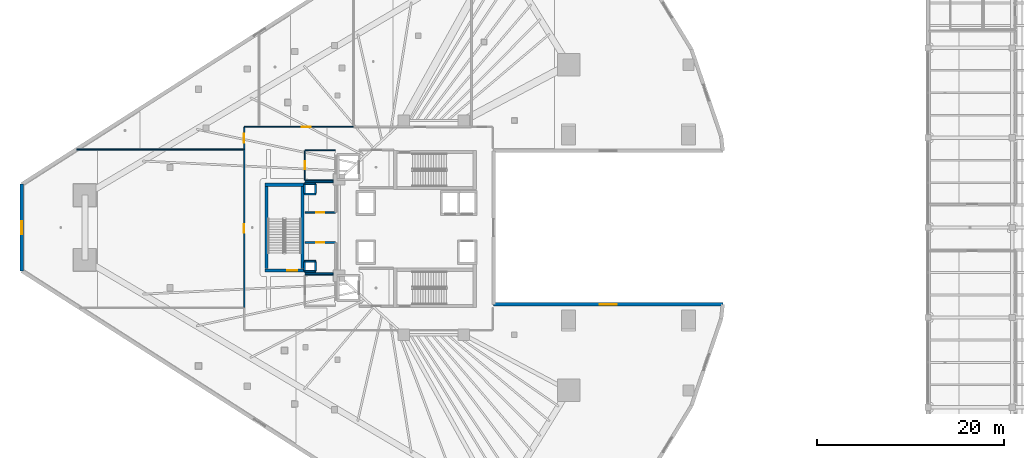
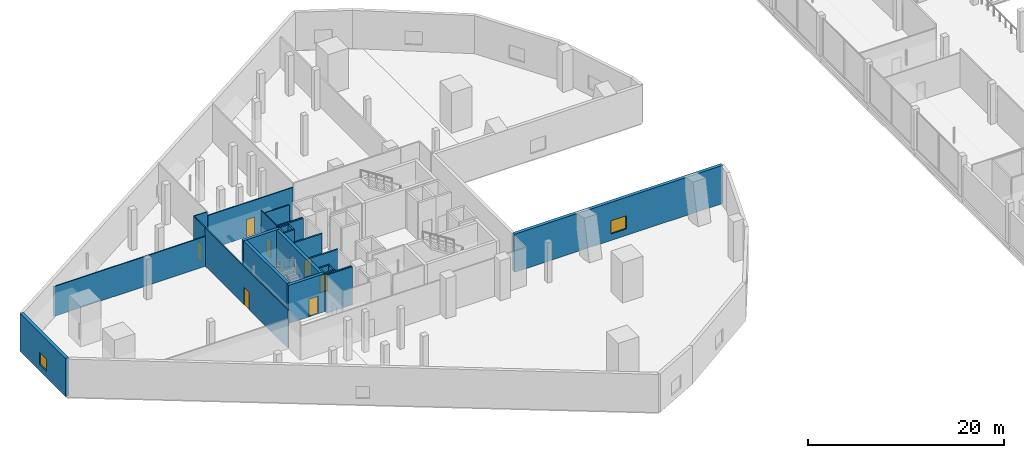
# One storey, part 27 of 46: 27 walls, 7 doors, 2 windows, 9 openings.
"""IFC4 building model written with IfcOpenShell, lengths in metres."""

from ifc_helpers import new_model, si_unit, direction, frame, frame_2d, origin, place, context, subcontext, project, spatial, rectangle, extrude, material, layer, layer_set, type_object, element, fill, save


model = new_model("IFC4")

# Units and contexts
model_context = context("Model", 3, precision=1e-05, world=origin(), true_north=direction((0.0, 1.0)))
body_context = subcontext(model_context, "Body", "Model", "MODEL_VIEW")
ifc_project = project(units=[si_unit("LENGTHUNIT", "METRE"), si_unit("AREAUNIT", "SQUARE_METRE"), si_unit("VOLUMEUNIT", "CUBIC_METRE"), si_unit("PLANEANGLEUNIT", "RADIAN"), si_unit("MASSUNIT", "GRAM", prefix="KILO")], contexts=[model_context])

# Site, building, storey
site_placement = place(None, origin())
site = spatial("IfcSite", under=ifc_project, at=site_placement, CompositionType="ELEMENT")
building_placement = place(site_placement, origin())
building = spatial("IfcBuilding", under=site, at=building_placement, Name="Qorvath Tower", CompositionType="ELEMENT")
storey_placement = place(building_placement, frame((0.0, 0.0, 17.0)))
storey = spatial("IfcBuildingStorey", under=building, at=storey_placement, Name="L03", CompositionType="ELEMENT", Elevation=17.0)

# Walls
ifc_material_1 = material(Name="Gypsum shaftliner on steel studs", Category="steel")
ifc_layer_1 = layer(ifc_material_1, 0.179931640625)
ifc_layer_set_1 = layer_set([ifc_layer_1], Name="FW-LOBBY")
wall_type_1 = type_object("IfcWallType", Name="FW-LOBBY", PredefinedType="PARTITIONING", material=ifc_layer_set_1)
for number, where, z_axis, x_axis, name in (
    (1, (-32.989990234375, 3.594970703125, 0.0), (0.0, 0.0, 1.0), (-1.0, 0.0, 0.0), "MEP Riser Shaft Enclosure Wall N-L03-S"),
    (2, (-34.260009765625, 4.675048828125, 0.0), (0.0, 0.0, 1.0), (1.0, 0.0, 0.0), "MEP Riser Shaft Enclosure Wall N-L03-N"),
):
    element("IfcWall", number, at=place(storey_placement, frame(where, z_axis=z_axis, x_axis=x_axis)), inside=storey, type_object=wall_type_1, Name=name, PredefinedType="PARTITIONING", context=body_context, shape_type="SweptSolid", body=[
        extrude(rectangle(XDim=1.27001953125, YDim=0.179931640625, at=frame_2d((0.635009765625, 0.0))), origin(), (0.0, 0.0, 1.0), 4.739990234375),
    ])
for number, where, z_axis, x_axis, name in (
    (3, (-34.205078125, 3.659912109375, 0.0), (0.0, 0.0, 1.0), (0.0, 1.0, 0.0), "MEP Riser Shaft Enclosure Wall N-L03-W"),
    (4, (-33.044921875, 4.610107421875, 0.0), (0.0, 0.0, 1.0), (0.0, -1.0, 0.0), "MEP Riser Shaft Enclosure Wall N-L03-E"),
):
    element("IfcWall", number, at=place(storey_placement, frame(where, z_axis=z_axis, x_axis=x_axis)), inside=storey, type_object=wall_type_1, Name=name, PredefinedType="PARTITIONING", context=body_context, shape_type="SweptSolid", body=[
        extrude(rectangle(XDim=0.9501953125, YDim=0.179931640625, at=frame_2d((0.47509765625, 0.0))), origin(), (0.0, 0.0, 1.0), 4.739990234375),
    ])
for number, where, z_axis, x_axis, name in (
    (5, (-32.989990234375, -4.675048828125, 0.0), (0.0, 0.0, 1.0), (-1.0, 0.0, 0.0), "MEP Riser Shaft Enclosure Wall S-L03-S"),
    (6, (-34.260009765625, -3.594970703125, 0.0), (0.0, 0.0, 1.0), (1.0, 0.0, 0.0), "MEP Riser Shaft Enclosure Wall S-L03-N"),
):
    element("IfcWall", number, at=place(storey_placement, frame(where, z_axis=z_axis, x_axis=x_axis)), inside=storey, type_object=wall_type_1, Name=name, PredefinedType="PARTITIONING", context=body_context, shape_type="SweptSolid", body=[
        extrude(rectangle(XDim=1.27001953125, YDim=0.179931640625, at=frame_2d((0.635009765625, 0.0))), origin(), (0.0, 0.0, 1.0), 4.739990234375),
    ])
for number, where, z_axis, x_axis, name in (
    (7, (-34.205078125, -4.610107421875, 0.0), (0.0, 0.0, 1.0), (0.0, 1.0, 0.0), "MEP Riser Shaft Enclosure Wall S-L03-W"),
    (8, (-33.044921875, -3.659912109375, 0.0), (0.0, 0.0, 1.0), (0.0, -1.0, 0.0), "MEP Riser Shaft Enclosure Wall S-L03-E"),
):
    element("IfcWall", number, at=place(storey_placement, frame(where, z_axis=z_axis, x_axis=x_axis)), inside=storey, type_object=wall_type_1, Name=name, PredefinedType="PARTITIONING", context=body_context, shape_type="SweptSolid", body=[
        extrude(rectangle(XDim=0.9501953125, YDim=0.179931640625, at=frame_2d((0.47509765625, 0.0))), origin(), (0.0, 0.0, 1.0), 4.739990234375),
    ])

# Wall, opening, door
wall_1_placement = place(storey_placement, frame((-34.15478515625, 1.60009765625, 0.0), z_axis=(0.0, 0.0, 1.0), x_axis=(1.0, 0.0, 0.0)))
wall_1 = element("IfcWall", 9, at=wall_1_placement, inside=storey, type_object=wall_type_1, Name="Interior Partition IW-T1-L03-013", PredefinedType="PARTITIONING", context=body_context, shape_type="SweptSolid", body=[
    extrude(rectangle(XDim=3.25, YDim=0.179931640625, at=frame_2d((1.625, 0.0))), origin(), (0.0, 0.0, 1.0), 4.739990234375),
])
opening_1_placement = place(wall_1_placement, frame((1.18505859375, 0.0, 0.0)))
opening_1 = element("IfcOpeningElement", 10, at=opening_1_placement, cuts=wall_1, Name="Opening D-T1-L03-03", PredefinedType="OPENING", context=body_context, shape_type="SweptSolid", body=[
    extrude(rectangle(XDim=0.8798828125, YDim=2.10009765625, at=frame_2d((0.43994140625, 1.050048828125))), frame((0.0, 0.10009765625, 0.0), z_axis=(0.0, -1.0, 0.0), x_axis=(1.0, 0.0, 0.0)), (0.0, 0.0, 1.0), 0.199951171875),
])
ifc_material_2 = material(Name="Painted galvanised hollow metal", Category="steel")
door_type_1 = type_object("IfcDoorType", Name="FD-60N", OperationType="NOTDEFINED", PredefinedType="DOOR", material=ifc_material_2)
door_1_placement = place(opening_1_placement, origin())
door_1 = element("IfcDoor", 11, at=door_1_placement, inside=storey, type_object=door_type_1, Name="Core cleaner and custodial room L03 Door D-T1-L03-03", OperationType="SINGLE_SWING_RIGHT", OverallHeight=2.10009765625, OverallWidth=0.8798828125, PredefinedType="DOOR", context=body_context, shape_type="SweptSolid", body=[
    extrude(rectangle(XDim=0.8798828125, YDim=2.10009765625, at=frame_2d((0.43994140625, 1.050048828125))), frame((0.0, 0.02490234375, 0.0), z_axis=(0.0, -1.0, 0.0), x_axis=(1.0, 0.0, 0.0)), (0.0, 0.0, 1.0), 0.050048828125),
])
fill(opening_1, door_1)

# Walls
for number, where, z_axis, x_axis, name in (
    (12, (-31.1650390625, 4.89990234375, 0.0), (0.0, 0.0, 1.0), (-1.0, 0.0, 0.0), "Interior Partition IW-T1-L03-015"),
    (13, (-34.15478515625, -4.89990234375, 0.0), (0.0, 0.0, 1.0), (1.0, 0.0, 0.0), "Interior Partition IW-T1-L03-016"),
):
    element("IfcWall", number, at=place(storey_placement, frame(where, z_axis=z_axis, x_axis=x_axis)), inside=storey, type_object=wall_type_1, Name=name, PredefinedType="PARTITIONING", context=body_context, shape_type="SweptSolid", body=[
        extrude(rectangle(XDim=2.98974609375, YDim=0.179931640625, at=frame_2d((1.494873046875, 0.0))), origin(), (0.0, 0.0, 1.0), 4.739990234375),
    ])

# Wall, opening, door
wall_2_placement = place(storey_placement, frame((-30.90478515625, -1.60009765625, 0.0), z_axis=(0.0, 0.0, 1.0), x_axis=(-1.0, 0.0, 0.0)))
wall_2 = element("IfcWall", 14, at=wall_2_placement, inside=storey, type_object=wall_type_1, Name="Interior Partition IW-T1-L03-018", PredefinedType="PARTITIONING", context=body_context, shape_type="SweptSolid", body=[
    extrude(rectangle(XDim=3.25, YDim=0.179931640625, at=frame_2d((1.625, 0.0))), origin(), (0.0, 0.0, 1.0), 4.739990234375),
])
opening_2_placement = place(wall_2_placement, frame((1.18505859375, 0.0, 0.0)))
opening_2 = element("IfcOpeningElement", 15, at=opening_2_placement, cuts=wall_2, Name="Opening D-T1-L03-04", PredefinedType="OPENING", context=body_context, shape_type="SweptSolid", body=[
    extrude(rectangle(XDim=0.8798828125, YDim=2.10009765625, at=frame_2d((0.43994140625, 1.050048828125))), frame((0.0, 0.10009765625, 0.0), z_axis=(0.0, -1.0, 0.0), x_axis=(1.0, 0.0, 0.0)), (0.0, 0.0, 1.0), 0.199951171875),
])
door_2_placement = place(opening_2_placement, origin())
door_2 = element("IfcDoor", 16, at=door_2_placement, inside=storey, type_object=door_type_1, Name="Core electrical room L03 Door D-T1-L03-04", OperationType="SINGLE_SWING_LEFT", OverallHeight=2.10009765625, OverallWidth=0.8798828125, PredefinedType="DOOR", context=body_context, shape_type="SweptSolid", body=[
    extrude(rectangle(XDim=0.8798828125, YDim=2.10009765625, at=frame_2d((0.43994140625, 1.050048828125))), frame((0.0, 0.02490234375, 0.0), z_axis=(0.0, -1.0, 0.0), x_axis=(1.0, 0.0, 0.0)), (0.0, 0.0, 1.0), 0.050048828125),
])
fill(opening_2, door_2)

ifc_material_3 = material(Name="Gypsum board on metal studs with mineral wool", Category="gypsum")
ifc_layer_2 = layer(ifc_material_3, 0.125)
ifc_layer_set_2 = layer_set([ifc_layer_2], Name="IW-PART-125")
wall_type_2 = type_object("IfcWallType", Name="IW-PART-125", PredefinedType="PARTITIONING", material=ifc_layer_set_2)
wall_3_placement = place(storey_placement, frame((-40.657958984375, 8.375, 0.0), z_axis=(0.0, 0.0, 1.0), x_axis=(0.0, 1.0, 0.0)))
wall_3 = element("IfcWall", 17, at=wall_3_placement, inside=storey, type_object=wall_type_2, Name="Interior Partition IW-T1-L03-019", PredefinedType="PARTITIONING", context=body_context, shape_type="SweptSolid", body=[
    extrude(rectangle(XDim=2.358154296875, YDim=0.125, at=frame_2d((1.17919921875, 0.0))), origin(), (0.0, 0.0, 1.0), 4.739990234375),
])
opening_3_placement = place(wall_3_placement, frame((0.7041015625, 0.0, 0.0)))
opening_3 = element("IfcOpeningElement", 18, at=opening_3_placement, cuts=wall_3, Name="Opening D-T1-L03-05", PredefinedType="OPENING", context=body_context, shape_type="SweptSolid", body=[
    extrude(rectangle(XDim=0.949951171875, YDim=2.14990234375, at=frame_2d((0.47509765625, 1.074951171875))), frame((0.0, 0.072509765625, 0.0), z_axis=(0.0, -1.0, 0.0), x_axis=(1.0, 0.0, 0.0)), (0.0, 0.0, 1.0), 0.14501953125),
])
ifc_material_4 = material(Name="Solid-core American white oak veneer", Category="wood")
door_type_2 = type_object("IfcDoorType", Name="D-01", OperationType="NOTDEFINED", PredefinedType="DOOR", material=ifc_material_4)
door_3_placement = place(opening_3_placement, origin())
door_3 = element("IfcDoor", 19, at=door_3_placement, inside=storey, type_object=door_type_2, Name="L03-01 Focus Collaboration Pod Door D-T1-L03-05", OperationType="SINGLE_SWING_RIGHT", OverallHeight=2.14990234375, OverallWidth=0.949951171875, PredefinedType="DOOR", context=body_context, shape_type="SweptSolid", body=[
    extrude(rectangle(XDim=0.949951171875, YDim=2.14990234375, at=frame_2d((0.47509765625, 1.074951171875))), frame((0.0, 0.02490234375, 0.0), z_axis=(0.0, -1.0, 0.0), x_axis=(1.0, 0.0, 0.0)), (0.0, 0.0, 1.0), 0.050048828125),
])
fill(opening_3, door_3)

# Walls
wall_4_placement = place(storey_placement, frame((-40.633056640625, 10.758056640625, 0.0), z_axis=(0.0, 0.0, 1.0), x_axis=(1.0, 0.0, 0.0)))
element("IfcWall", 20, at=wall_4_placement, inside=storey, type_object=wall_type_2, Name="Interior Partition IW-T1-L03-020", PredefinedType="PARTITIONING", context=body_context, shape_type="SweptSolid", body=[
    extrude(rectangle(XDim=1.5390625, YDim=0.125, at=frame_2d((0.76953125, 0.0))), origin(), (0.0, 0.0, 1.0), 4.739990234375),
])
wall_5_placement = place(storey_placement, frame((-58.55224609375, 8.33544921875, 0.0), z_axis=(0.0, 0.0, 1.0), x_axis=(0.999999663996, 0.000819761447, 0.0)))
element("IfcWall", 21, at=wall_5_placement, inside=storey, type_object=wall_type_2, Name="Interior Partition IW-T1-L03-022", PredefinedType="PARTITIONING", context=body_context, shape_type="SweptSolid", body=[
    extrude(rectangle(XDim=17.869140625, YDim=0.125, at=frame_2d((8.9345703125, 0.0))), origin(), (0.0, 0.0, 1.0), 3.7099609375),
])

# Wall, opening, door
wall_6_placement = place(storey_placement, frame((-39.035888671875, 10.758056640625, 0.0), z_axis=(0.0, 0.0, 1.0), x_axis=(1.0, 0.0, 0.0)))
wall_6 = element("IfcWall", 22, at=wall_6_placement, inside=storey, type_object=wall_type_2, Name="Interior Partition IW-T1-L03-023", PredefinedType="PARTITIONING", context=body_context, shape_type="SweptSolid", body=[
    extrude(rectangle(XDim=10.029541015625, YDim=0.125, at=frame_2d((5.0146484375, 0.0))), origin(), (0.0, 0.0, 1.0), 4.2529296875),
])
opening_4_placement = place(wall_6_placement, frame((4.539794921875, 0.0, 0.0)))
opening_4 = element("IfcOpeningElement", 23, at=opening_4_placement, cuts=wall_6, Name="Opening D-T1-L03-06", PredefinedType="OPENING", context=body_context, shape_type="SweptSolid", body=[
    extrude(rectangle(XDim=0.949951171875, YDim=2.14990234375, at=frame_2d((0.47509765625, 1.074951171875))), frame((0.0, 0.072509765625, 0.0), z_axis=(0.0, -1.0, 0.0), x_axis=(1.0, 0.0, 0.0)), (0.0, 0.0, 1.0), 0.14501953125),
])
door_4_placement = place(opening_4_placement, origin())
door_4 = element("IfcDoor", 24, at=door_4_placement, inside=storey, type_object=door_type_2, Name="L03-02 Staff Refreshment Pantry and Coffee Bar Door D-T1-L03-06", OperationType="SINGLE_SWING_LEFT", OverallHeight=2.14990234375, OverallWidth=0.949951171875, PredefinedType="DOOR", context=body_context, shape_type="SweptSolid", body=[
    extrude(rectangle(XDim=0.949951171875, YDim=2.14990234375, at=frame_2d((0.47509765625, 1.074951171875))), frame((0.0, 0.02490234375, 0.0), z_axis=(0.0, -1.0, 0.0), x_axis=(1.0, 0.0, 0.0)), (0.0, 0.0, 1.0), 0.050048828125),
])
fill(opening_4, door_4)

wall_7_placement = place(storey_placement, frame((-40.657958984375, -8.51708984375, 0.0), z_axis=(0.0, 0.0, 1.0), x_axis=(0.0, 1.0, 0.0)))
wall_7 = element("IfcWall", 25, at=wall_7_placement, inside=storey, type_object=wall_type_2, Name="Interior Partition IW-T1-L03-035", PredefinedType="PARTITIONING", context=body_context, shape_type="SweptSolid", body=[
    extrude(rectangle(XDim=16.833984375, YDim=0.125, at=frame_2d((8.4169921875, 0.0))), origin(), (0.0, 0.0, 1.0), 4.739990234375),
])
opening_5_placement = place(wall_7_placement, frame((7.94189453125, 0.0, 0.0)))
opening_5 = element("IfcOpeningElement", 26, at=opening_5_placement, cuts=wall_7, Name="Opening D-T1-L03-10", PredefinedType="OPENING", context=body_context, shape_type="SweptSolid", body=[
    extrude(rectangle(XDim=0.949951171875, YDim=2.14990234375, at=frame_2d((0.47509765625, 1.074951171875))), frame((0.0, 0.072509765625, 0.0), z_axis=(0.0, -1.0, 0.0), x_axis=(1.0, 0.0, 0.0)), (0.0, 0.0, 1.0), 0.14501953125),
])
door_5_placement = place(opening_5_placement, origin())
door_5 = element("IfcDoor", 27, at=door_5_placement, inside=storey, type_object=door_type_2, Name="L03-06 Executive Partner Office Door D-T1-L03-10", OperationType="SINGLE_SWING_LEFT", OverallHeight=2.14990234375, OverallWidth=0.949951171875, PredefinedType="DOOR", context=body_context, shape_type="SweptSolid", body=[
    extrude(rectangle(XDim=0.949951171875, YDim=2.14990234375, at=frame_2d((0.47509765625, 1.074951171875))), frame((0.0, 0.02490234375, 0.0), z_axis=(0.0, -1.0, 0.0), x_axis=(1.0, 0.0, 0.0)), (0.0, 0.0, 1.0), 0.050048828125),
])
fill(opening_5, door_5)

ifc_material_5 = material(Name="Moisture-resistant cement board on metal studs", Category="gypsum")
ifc_layer_3 = layer(ifc_material_5, 0.110107421875)
ifc_layer_set_3 = layer_set([ifc_layer_3], Name="IW-WC-110")
wall_type_3 = type_object("IfcWallType", Name="IW-WC-110", PredefinedType="PARTITIONING", material=ifc_layer_set_3)
wall_8_placement = place(storey_placement, frame((-34.179931640625, 8.22509765625, 0.0), z_axis=(0.0, 0.0, 1.0), x_axis=(0.0, -1.0, 0.0)))
wall_8 = element("IfcWall", 28, at=wall_8_placement, inside=storey, type_object=wall_type_3, Name="Interior Partition IW-T1-L03-005", PredefinedType="PARTITIONING", context=body_context, shape_type="SweptSolid", body=[
    extrude(rectangle(XDim=3.150146484375, YDim=0.110107421875, at=frame_2d((1.5751953125, 0.0))), origin(), (0.0, 0.0, 1.0), 4.739990234375),
])
opening_6_placement = place(wall_8_placement, frame((1.135009765625, 0.0, 0.0)))
opening_6 = element("IfcOpeningElement", 29, at=opening_6_placement, cuts=wall_8, Name="Opening D-T1-L03-01", PredefinedType="OPENING", context=body_context, shape_type="SweptSolid", body=[
    extrude(rectangle(XDim=0.8798828125, YDim=2.10009765625, at=frame_2d((0.43994140625, 1.050048828125))), frame((0.0, 0.06494140625, 0.0), z_axis=(0.0, -1.0, 0.0), x_axis=(1.0, 0.0, 0.0)), (0.0, 0.0, 1.0), 0.130126953125),
])
ifc_material_6 = material(Name="Solid-core oak with acoustic drop seal", Category="wood")
door_type_3 = type_object("IfcDoorType", Name="D-02", OperationType="NOTDEFINED", PredefinedType="DOOR", material=ifc_material_6)
door_6_placement = place(opening_6_placement, origin())
door_6 = element("IfcDoor", 30, at=door_6_placement, inside=storey, type_object=door_type_3, Name="WC All-Gender North L03 Door D-T1-L03-01", OperationType="SINGLE_SWING_RIGHT", OverallHeight=2.10009765625, OverallWidth=0.8798828125, PredefinedType="DOOR", context=body_context, shape_type="SweptSolid", body=[
    extrude(rectangle(XDim=0.8798828125, YDim=2.10009765625, at=frame_2d((0.43994140625, 1.050048828125))), frame((0.0, 0.02490234375, 0.0), z_axis=(0.0, -1.0, 0.0), x_axis=(1.0, 0.0, 0.0)), (0.0, 0.0, 1.0), 0.050048828125),
])
fill(opening_6, door_6)

# Walls
wall_9_placement = place(storey_placement, frame((-34.15478515625, 5.050048828125, 0.0), z_axis=(0.0, 0.0, 1.0), x_axis=(1.0, 0.0, 0.0)))
element("IfcWall", 31, at=wall_9_placement, inside=storey, type_object=wall_type_3, Name="Interior Partition IW-T1-L03-006", PredefinedType="PARTITIONING", context=body_context, shape_type="SweptSolid", body=[
    extrude(rectangle(XDim=2.98974609375, YDim=0.110107421875, at=frame_2d((1.494873046875, 0.0))), origin(), (0.0, 0.0, 1.0), 4.739990234375),
])
wall_10_placement = place(storey_placement, frame((-30.90478515625, 8.25, 0.0), z_axis=(0.0, 0.0, 1.0), x_axis=(-1.0, 0.0, 0.0)))
element("IfcWall", 32, at=wall_10_placement, inside=storey, type_object=wall_type_3, Name="Interior Partition IW-T1-L03-008", PredefinedType="PARTITIONING", context=body_context, shape_type="SweptSolid", body=[
    extrude(rectangle(XDim=3.25, YDim=0.110107421875, at=frame_2d((1.625, 0.0))), origin(), (0.0, 0.0, 1.0), 4.2529296875),
])
wall_11_placement = place(storey_placement, frame((-31.1650390625, -5.050048828125, 0.0), z_axis=(0.0, 0.0, 1.0), x_axis=(-1.0, 0.0, 0.0)))
element("IfcWall", 33, at=wall_11_placement, inside=storey, type_object=wall_type_3, Name="Interior Partition IW-T1-L03-011", PredefinedType="PARTITIONING", context=body_context, shape_type="SweptSolid", body=[
    extrude(rectangle(XDim=2.98974609375, YDim=0.110107421875, at=frame_2d((1.494873046875, 0.0))), origin(), (0.0, 0.0, 1.0), 4.739990234375),
])

# Wall, opening, door
ifc_material_7 = material(Name="Concrete C60/75", Category="concrete")
ifc_layer_4 = layer(ifc_material_7, 0.35009765625)
ifc_layer_set_4 = layer_set([ifc_layer_4], Name="SW-STAIR")
wall_type_4 = type_object("IfcWallType", Name="SW-STAIR", PredefinedType="SHEAR", material=ifc_layer_set_4)
wall_12_placement = place(storey_placement, frame((-38.4599609375, -4.574951171875, 0.0), z_axis=(0.0, 0.0, 1.0), x_axis=(1.0, 0.0, 0.0)))
wall_12 = element("IfcWall", 34, at=wall_12_placement, inside=storey, type_object=wall_type_4, Name="Stair TS3 Shear Wall L03 NEAR", PredefinedType="SHEAR", context=body_context, shape_type="SweptSolid", body=[
    extrude(rectangle(XDim=4.2099609375, YDim=0.35009765625, at=frame_2d((2.10498046875, 0.0))), origin(), (0.0, 0.0, 1.0), 4.739990234375),
])
opening_7_placement = place(wall_12_placement, frame((2.389892578125, 0.0, 0.0)))
opening_7 = element("IfcOpeningElement", 35, at=opening_7_placement, cuts=wall_12, Name="Opening D-TS3-L03", PredefinedType="OPENING", context=body_context, shape_type="SweptSolid", body=[
    extrude(rectangle(XDim=1.10009765625, YDim=2.199951171875, at=frame_2d((0.550048828125, 1.10009765625))), frame((0.0, 0.18505859375, 0.0), z_axis=(0.0, -1.0, 0.0), x_axis=(1.0, 0.0, 0.0)), (0.0, 0.0, 1.0), 0.3701171875),
])
ifc_material_8 = material(Name="Painted galvanised hollow metal", Category="steel")
door_type_4 = type_object("IfcDoorType", Name="FD-90", OperationType="NOTDEFINED", PredefinedType="DOOR", material=ifc_material_8)
door_7_placement = place(opening_7_placement, origin())
door_7 = element("IfcDoor", 36, at=door_7_placement, inside=storey, type_object=door_type_4, Name="Stair TS3 Fire Door L03", OperationType="SINGLE_SWING_RIGHT", OverallHeight=2.199951171875, OverallWidth=1.10009765625, PredefinedType="DOOR", context=body_context, shape_type="SweptSolid", body=[
    extrude(rectangle(XDim=1.10009765625, YDim=2.199951171875, at=frame_2d((0.550048828125, 1.10009765625))), frame((0.0, 0.02490234375, 0.0), z_axis=(0.0, -1.0, 0.0), x_axis=(1.0, 0.0, 0.0)), (0.0, 0.0, 1.0), 0.050048828125),
])
fill(opening_7, door_7)

# Walls
wall_13_placement = place(storey_placement, frame((-34.25, 4.574951171875, 0.0), z_axis=(0.0, 0.0, 1.0), x_axis=(-1.0, 0.0, 0.0)))
element("IfcWall", 37, at=wall_13_placement, inside=storey, type_object=wall_type_4, Name="Stair TS3 Shear Wall L03 FAR", PredefinedType="SHEAR", context=body_context, shape_type="SweptSolid", body=[
    extrude(rectangle(XDim=4.2099609375, YDim=0.35009765625, at=frame_2d((2.10498046875, 0.0))), origin(), (0.0, 0.0, 1.0), 4.739990234375),
])
for number, where, z_axis, x_axis, name in (
    (38, (-34.425048828125, -4.385009765625, 0.0), (0.0, 0.0, 1.0), (0.0, 1.0, 0.0), "Stair TS3 Shear Wall L03 LEFT"),
    (39, (-38.284912109375, 4.385009765625, 0.0), (0.0, 0.0, 1.0), (0.0, -1.0, 0.0), "Stair TS3 Shear Wall L03 RIGHT"),
):
    element("IfcWall", number, at=place(storey_placement, frame(where, z_axis=z_axis, x_axis=x_axis)), inside=storey, type_object=wall_type_4, Name=name, PredefinedType="SHEAR", context=body_context, shape_type="SweptSolid", body=[
        extrude(rectangle(XDim=8.77001953125, YDim=0.35009765625, at=frame_2d((4.385009765625, 0.0))), origin(), (0.0, 0.0, 1.0), 4.739990234375),
    ])

# Wall, opening, window
ifc_material_9 = material(Name="Precast concrete C50/60", Category="concrete")
ifc_layer_5 = layer(ifc_material_9, 0.3798828125)
ifc_layer_set_5 = layer_set([ifc_layer_5], Name="WL-EW-POD-380")
wall_type_5 = type_object("IfcWallType", Name="WL-EW-POD-380", PredefinedType="SOLIDWALL", material=ifc_layer_set_5)
wall_14_placement = place(storey_placement, frame((10.483154296875, -8.199951171875, 0.0), z_axis=(0.0, 0.0, 1.0), x_axis=(-1.0, 0.0, 0.0)))
wall_14 = element("IfcWall", 40, at=wall_14_placement, inside=storey, type_object=wall_type_5, Name="Tower Podium Precast Facade Wall L03-1.1", PredefinedType="SOLIDWALL", context=body_context, shape_type="SweptSolid", body=[
    extrude(rectangle(XDim=24.483154296875, YDim=0.3798828125, at=frame_2d((12.24169921875, 0.0))), origin(), (0.0, 0.0, 1.0), 4.739990234375),
])
opening_8_placement = place(wall_14_placement, frame((11.341552734375, 0.0, 0.800048828125)))
opening_8 = element("IfcOpeningElement", 41, at=opening_8_placement, cuts=wall_14, Name="Opening WN-L03-029", PredefinedType="OPENING", context=body_context, shape_type="SweptSolid", body=[
    extrude(rectangle(XDim=1.800048828125, YDim=1.64990234375, at=frame_2d((0.89990234375, 0.824951171875))), frame((0.0, 0.199951171875, 0.0), z_axis=(0.0, -1.0, 0.0), x_axis=(1.0, 0.0, 0.0)), (0.0, 0.0, 1.0), 0.39990234375),
])
ifc_material_10 = material(Name="Thermally broken aluminium and triple low-E glass", Category="aluminium")
window_type_1 = type_object("IfcWindowType", Name="WN-1", PartitioningType="SINGLE_PANEL", PredefinedType="WINDOW", material=ifc_material_10)
window_1_placement = place(opening_8_placement, origin())
window_1 = element("IfcWindow", 42, at=window_1_placement, inside=storey, type_object=window_type_1, Name="Podium Punched Window L03-029", OverallHeight=1.64990234375, OverallWidth=1.800048828125, PartitioningType="SINGLE_PANEL", PredefinedType="WINDOW", context=body_context, shape_type="SweptSolid", body=[
    extrude(rectangle(XDim=1.800048828125, YDim=1.64990234375, at=frame_2d((0.89990234375, 0.824951171875))), frame((0.0, 0.030029296875, 0.0), z_axis=(0.0, -1.0, 0.0), x_axis=(1.0, 0.0, 0.0)), (0.0, 0.0, 1.0), 0.06005859375),
])
fill(opening_8, window_1)

wall_15_placement = place(storey_placement, frame((-64.419189453125, -4.63671875, 0.0), z_axis=(0.0, 0.0, 1.0), x_axis=(0.0, 1.0, 0.0)))
wall_15 = element("IfcWall", 43, at=wall_15_placement, inside=storey, type_object=wall_type_5, Name="Tower Podium Precast Facade Wall L03-10.1", PredefinedType="SOLIDWALL", context=body_context, shape_type="SweptSolid", body=[
    extrude(rectangle(XDim=9.2734375, YDim=0.3798828125, at=frame_2d((4.63671875, 0.0))), origin(), (0.0, 0.0, 1.0), 4.739990234375),
])
opening_9_placement = place(wall_15_placement, frame((3.936767578125, 0.0, 0.800048828125)))
opening_9 = element("IfcOpeningElement", 44, at=opening_9_placement, cuts=wall_15, Name="Opening WN-L03-037", PredefinedType="OPENING", context=body_context, shape_type="SweptSolid", body=[
    extrude(rectangle(XDim=1.39990234375, YDim=1.5, at=frame_2d((0.699951171875, 0.75))), frame((0.0, 0.199951171875, 0.0), z_axis=(0.0, -1.0, 0.0), x_axis=(1.0, 0.0, 0.0)), (0.0, 0.0, 1.0), 0.39990234375),
])
ifc_material_11 = material(Name="Thermally broken aluminium and triple low-E glass", Category="aluminium")
window_type_2 = type_object("IfcWindowType", Name="WN-3", PartitioningType="SINGLE_PANEL", PredefinedType="WINDOW", material=ifc_material_11)
window_2_placement = place(opening_9_placement, origin())
window_2 = element("IfcWindow", 45, at=window_2_placement, inside=storey, type_object=window_type_2, Name="Podium Punched Window L03-037", OverallHeight=1.5, OverallWidth=1.39990234375, PartitioningType="SINGLE_PANEL", PredefinedType="WINDOW", context=body_context, shape_type="SweptSolid", body=[
    extrude(rectangle(XDim=1.39990234375, YDim=1.5, at=frame_2d((0.699951171875, 0.75))), frame((0.0, 0.030029296875, 0.0), z_axis=(0.0, -1.0, 0.0), x_axis=(1.0, 0.0, 0.0)), (0.0, 0.0, 1.0), 0.06005859375),
])
fill(opening_9, window_2)

save(model, "model.ifc")
